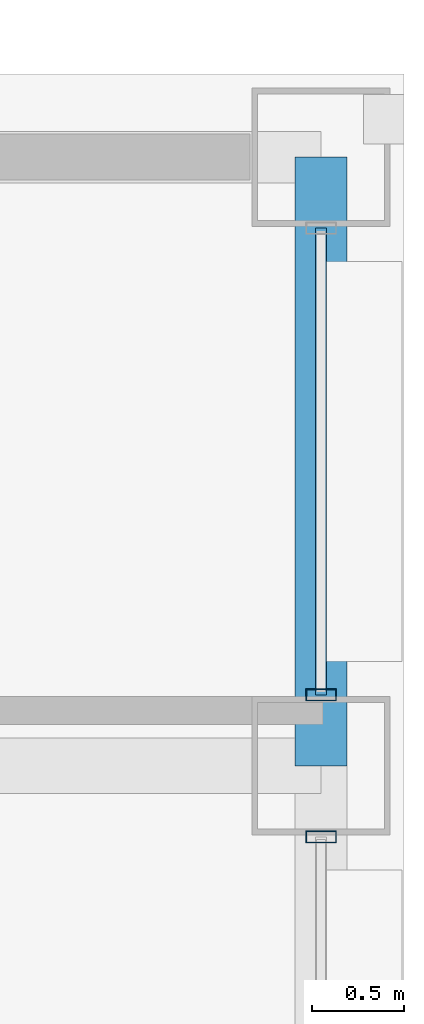
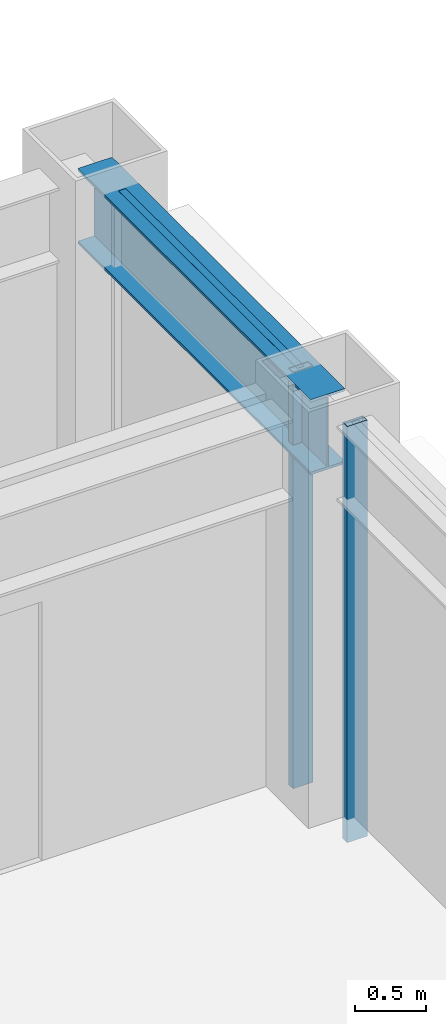
# One storey, part 17 of 27: 3 members, 1 beam, 2 elements without a shape of their own.
"""IFC4 building model written with IfcOpenShell, lengths in metres."""

from ifc_helpers import new_model, si_unit, direction, frame, origin, origin_2d, place, context, subcontext, project, spatial, hollow_rectangle, i_section, extrude, material, layer, layer_set, material_profile, profile_set, type_object, element, aggregate, save


model = new_model("IFC4")

# Units and contexts
model_context = context("Model", 3, precision=1e-05, world=origin(), true_north=direction((0.0, 1.0)))
body_context = subcontext(model_context, "Body", "Model", "MODEL_VIEW")
ifc_project = project(units=[si_unit("LENGTHUNIT", "METRE"), si_unit("AREAUNIT", "SQUARE_METRE"), si_unit("VOLUMEUNIT", "CUBIC_METRE"), si_unit("PLANEANGLEUNIT", "RADIAN"), si_unit("MASSUNIT", "GRAM", prefix="KILO")], contexts=[model_context])

# Site, building, storey
site_placement = place(None, origin())
site = spatial("IfcSite", under=ifc_project, at=site_placement, CompositionType="ELEMENT")
building_placement = place(site_placement, origin())
building = spatial("IfcBuilding", under=site, at=building_placement, Name="Brelmoor Portico Tower", CompositionType="ELEMENT")
storey_placement = place(building_placement, frame((0.0, 0.0, 158.699951171875)))
storey = spatial("IfcBuildingStorey", under=building, at=storey_placement, Name="L41", CompositionType="ELEMENT", Elevation=158.699951171875)

# Beam
ifc_material_1 = material(Name="Steel Q355B", Category="steel")
ifc_material_profile_1 = material_profile(ifc_material_1, i_section(OverallWidth=0.280029296875, OverallDepth=0.64990234375, WebThickness=0.012939453125, FlangeThickness=0.02197265625, at=origin_2d()), Name="HN 650x280x13x22")
ifc_profile_set_1 = profile_set([ifc_material_profile_1], Name="Steel Q355B")
beam_type = type_object("IfcBeamType", Name="BM-SP-650", PredefinedType="SPANDREL", material=ifc_profile_set_1)
beam_placement = place(storey_placement, frame((20.550048828125, 9.75, 3.074951171875), z_axis=(0.0, 1.0, 0.0), x_axis=(-1.0, 0.0, 0.0)))
element("IfcBeam", 1, at=beam_placement, inside=storey, type_object=beam_type, Name="L41 Perimeter Spandrel Beam SP-20", PredefinedType="SPANDREL", context=body_context, shape_type="SweptSolid", body=[
    extrude(i_section(OverallWidth=0.280029296875, OverallDepth=0.64990234375, WebThickness=0.012939453125, FlangeThickness=0.02197265625, at=origin_2d()), origin(), (0.0, 0.0, 1.0), 3.300048828125),
])

# Curtain wall, member
ifc_material_2 = material(Name="Anodised Aluminium Alloy 6063-T6", Category="aluminium")
ifc_layer = layer(ifc_material_2, 0.179931640625)
ifc_layer_set = layer_set([ifc_layer], Name="Anodised Aluminium Alloy 6063-T6")
curtain_wall_type = type_object("IfcCurtainWallType", Name="CW-TOWER-Z3-XB", PredefinedType="NOTDEFINED", material=ifc_layer_set)
curtain_wall_1_placement = place(storey_placement, origin())
curtain_wall_1 = element("IfcCurtainWall", 2, at=curtain_wall_1_placement, inside=storey, type_object=curtain_wall_type, Name="L41 Curtain Wall CW-L41-04-2", PredefinedType="NOTDEFINED")
ifc_material_profile_2 = material_profile(ifc_material_2, hollow_rectangle(XDim=0.06494140625, YDim=0.1650390625, WallThickness=0.00390625, at=origin_2d()), Name="ALU MULLION 65x165")
ifc_profile_set_2 = profile_set([ifc_material_profile_2], Name="Anodised Aluminium Alloy 6063-T6")
member_type_1 = type_object("IfcMemberType", Name="MB-CW-MULL-165", PredefinedType="MULLION", material=ifc_profile_set_2)
member_1_placement = place(storey_placement, frame((20.550048828125, 9.364990234375, -0.199951171875), z_axis=(0.0, 0.0, 1.0), x_axis=(0.0, 1.0, 0.0)))
member_1 = element("IfcMember", 3, at=member_1_placement, type_object=member_type_1, Name="CW-L41-04-2 Mullion 02", PredefinedType="MULLION", context=body_context, shape_type="SweptSolid", body=[
    extrude(hollow_rectangle(XDim=0.06494140625, YDim=0.1650390625, WallThickness=0.00390625, at=origin_2d()), origin(), (0.0, 0.0, 1.0), 3.60009765625),
])
aggregate(curtain_wall_1, [member_1])

# Curtain wall, members
curtain_wall_2_placement = place(storey_placement, origin())
curtain_wall_2 = element("IfcCurtainWall", 4, at=curtain_wall_2_placement, inside=storey, type_object=curtain_wall_type, Name="L41 Curtain Wall CW-L41-04-3", PredefinedType="NOTDEFINED")
member_2_placement = place(storey_placement, frame((20.550048828125, 10.135009765625, -0.199951171875), z_axis=(0.0, 0.0, 1.0), x_axis=(0.0, 1.0, 0.0)))
member_2 = element("IfcMember", 5, at=member_2_placement, type_object=member_type_1, Name="CW-L41-04-3 Mullion 00", PredefinedType="MULLION", context=body_context, shape_type="SweptSolid", body=[
    extrude(hollow_rectangle(XDim=0.06494140625, YDim=0.1650390625, WallThickness=0.00390625, at=origin_2d()), origin(), (0.0, 0.0, 1.0), 3.60009765625),
])
ifc_material_profile_3 = material_profile(ifc_material_2, hollow_rectangle(XDim=0.06005859375, YDim=0.125, WallThickness=0.00341796875, at=origin_2d()), Name="ALU TRANSOM 60x125")
ifc_profile_set_3 = profile_set([ifc_material_profile_3], Name="Anodised Aluminium Alloy 6063-T6")
member_type_2 = type_object("IfcMemberType", Name="MB-CW-TRAN-125", PredefinedType="USERDEFINED", material=ifc_profile_set_3)
member_3_placement = place(storey_placement, frame((20.550048828125, 10.135009765625, 3.337646484375), z_axis=(0.0, 1.0, 0.0), x_axis=(-1.0, 0.0, 0.0)))
member_3 = element("IfcMember", 6, at=member_3_placement, type_object=member_type_2, Name="CW-L41-04-3 Transom 1-00", ObjectType="TRANSOM", PredefinedType="USERDEFINED", context=body_context, shape_type="SweptSolid", body=[
    extrude(hollow_rectangle(XDim=0.06005859375, YDim=0.125, WallThickness=0.00341796875, at=origin_2d()), origin(), (0.0, 0.0, 1.0), 2.530029296875),
])
aggregate(curtain_wall_2, [member_2, member_3])

save(model, "model.ifc")
